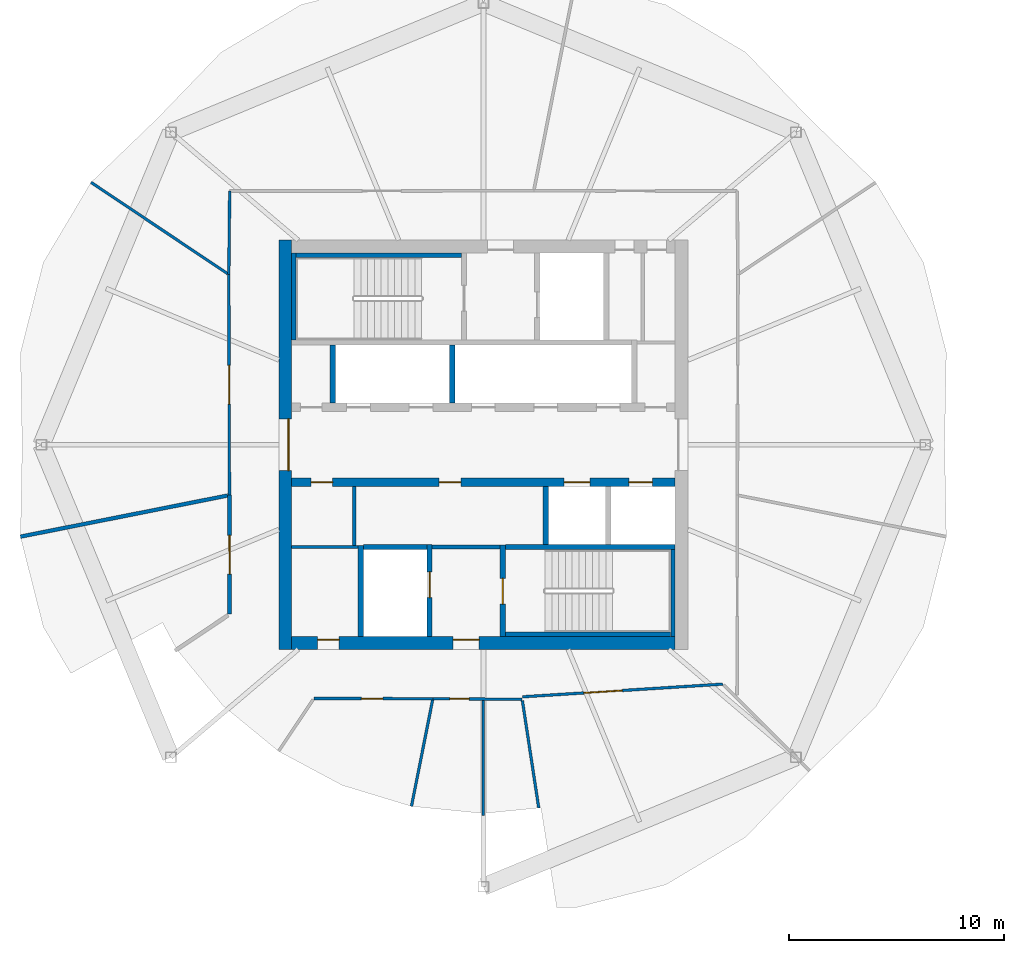
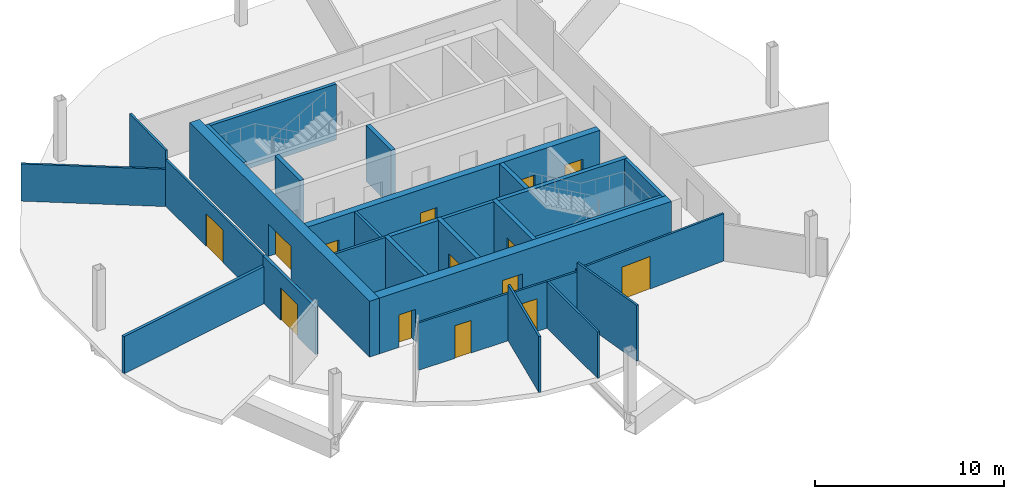
# One storey, part 4 of 9: 29 walls, 14 doors, 14 openings.
"""IFC4 building model written with IfcOpenShell, lengths in metres."""

from ifc_helpers import new_model, si_unit, direction, frame, frame_2d, origin, place, context, subcontext, project, spatial, rectangle, extrude, material, layer, layer_set, type_object, element, fill, save


model = new_model("IFC4")

# Units and contexts
model_context = context("Model", 3, precision=1e-05, world=origin(), true_north=direction((0.0, 1.0)))
body_context = subcontext(model_context, "Body", "Model", "MODEL_VIEW")
ifc_project = project(units=[si_unit("LENGTHUNIT", "METRE"), si_unit("AREAUNIT", "SQUARE_METRE"), si_unit("VOLUMEUNIT", "CUBIC_METRE"), si_unit("PLANEANGLEUNIT", "RADIAN"), si_unit("MASSUNIT", "GRAM", prefix="KILO")], contexts=[model_context])

# Site, building, storey
site_placement = place(None, origin())
site = spatial("IfcSite", under=ifc_project, at=site_placement, CompositionType="ELEMENT")
building_placement = place(site_placement, origin())
building = spatial("IfcBuilding", under=site, at=building_placement, Name="Ogive Gate Towers", CompositionType="ELEMENT")
storey_placement = place(building_placement, frame((0.0, 0.0, 192.89990234375)))
storey = spatial("IfcBuildingStorey", under=building, at=storey_placement, Name="L46", CompositionType="ELEMENT", Elevation=192.89990234375)

# Wall
ifc_material_1 = material(Name="Gypsum board acoustic partition")
ifc_layer_1 = layer(ifc_material_1, 0.175048828125)
ifc_layer_set_1 = layer_set([ifc_layer_1], Name="Acoustic partition 175")
wall_type_1 = type_object("IfcWallType", Name="Acoustic partition 175", PredefinedType="PARTITIONING", material=ifc_layer_set_1)
wall_1_placement = place(storey_placement, frame((-57.5, -4.268310546875, 0.0), z_axis=(0.0, 0.0, 1.0), x_axis=(0.980861035238, 0.194709089544, 0.0)))
element("IfcWall", 1, at=wall_1_placement, inside=storey, type_object=wall_type_1, Name="Partition T1-L46-004", PredefinedType="PARTITIONING", context=body_context, shape_type="SweptSolid", body=[
    extrude(rectangle(XDim=9.8115234375, YDim=0.175048828125, at=frame_2d((4.90576171875, 0.0))), origin(), (0.0, 0.0, 1.0), 2.400146484375),
])

# Wall, opening, door
wall_2_placement = place(storey_placement, frame((-47.7841796875, -7.869873046875, 0.0), z_axis=(0.0, 0.0, 1.0), x_axis=(-0.001103898299, 0.999999390704, 0.0)))
wall_2 = element("IfcWall", 2, at=wall_2_placement, inside=storey, type_object=wall_type_1, Name="Partition T1-L46-014", PredefinedType="PARTITIONING", context=body_context, shape_type="SweptSolid", body=[
    extrude(rectangle(XDim=5.529052734375, YDim=0.175048828125, at=frame_2d((2.7646484375, 0.0))), origin(), (0.0, 0.0, 1.0), 3.050048828125),
])
opening_1_placement = place(wall_2_placement, frame((1.864990234375, 0.0, 0.0)))
opening_1 = element("IfcOpeningElement", 3, at=opening_1_placement, cuts=wall_2, Name="Opening T1-L46-D03", PredefinedType="OPENING", context=body_context, shape_type="SweptSolid", body=[
    extrude(rectangle(XDim=1.800048828125, YDim=2.10009765625, at=frame_2d((0.89990234375, 1.050048828125))), frame((0.0, 0.09765625, 0.0), z_axis=(0.0, -1.0, 0.0), x_axis=(1.0, 0.0, 0.0)), (0.0, 0.0, 1.0), 0.195068359375),
])
ifc_material_2 = material(Name="Timber door", Category="wood")
door_type_1 = type_object("IfcDoorType", Name="Door pair 1800", OperationType="NOTDEFINED", PredefinedType="DOOR", material=ifc_material_2)
door_1_placement = place(opening_1_placement, origin())
door_1 = element("IfcDoor", 4, at=door_1_placement, inside=storey, type_object=door_type_1, Name="Door T1-L46-D03", OperationType="DOUBLE_DOOR_DOUBLE_SWING", OverallHeight=2.10009765625, OverallWidth=1.800048828125, PredefinedType="DOOR", context=body_context, shape_type="SweptSolid", body=[
    extrude(rectangle(XDim=1.800048828125, YDim=2.10009765625, at=frame_2d((0.89990234375, 1.050048828125))), frame((0.0, 0.02490234375, 0.0), z_axis=(0.0, -1.0, 0.0), x_axis=(1.0, 0.0, 0.0)), (0.0, 0.0, 1.0), 0.050048828125),
])
fill(opening_1, door_1)

# Wall
ifc_material_3 = material(Name="Masonry blockwork", Category="masonry")
ifc_layer_2 = layer(ifc_material_3, 0.199951171875)
ifc_layer_set_2 = layer_set([ifc_layer_2], Name="Blockwork wall 200 mm")
wall_type_2 = type_object("IfcWallType", Name="Blockwork wall 200 mm", PredefinedType="PARTITIONING", material=ifc_layer_set_2)
wall_3_placement = place(storey_placement, frame((-38.375, -4.75, 0.0), z_axis=(0.0, 0.0, 1.0), x_axis=(1.0, 0.0, 0.0)))
element("IfcWall", 5, at=wall_3_placement, inside=storey, type_object=wall_type_2, Name="T1 L46 Blockwork wall 200 mm", PredefinedType="PARTITIONING", context=body_context, shape_type="SweptSolid", body=[
    extrude(rectangle(XDim=3.14990234375, YDim=0.199951171875, at=frame_2d((1.574951171875, 0.0))), origin(), (0.0, 0.0, 1.0), 3.60009765625),
])

# Wall, openings, doors
ifc_material_4 = material(Name="Concrete C60/75", Category="concrete")
ifc_layer_3 = layer(ifc_material_4, 0.60009765625)
ifc_layer_set_3 = layer_set([ifc_layer_3], Name="Core wall 600 mm")
wall_type_3 = type_object("IfcWallType", Name="Core wall 600 mm", PredefinedType="SHEAR", material=ifc_layer_set_3)
wall_4_placement = place(storey_placement, frame((-44.89990234375, -9.199951171875, 0.0), z_axis=(0.0, 0.0, 1.0), x_axis=(1.0, 0.0, 0.0)))
wall_4 = element("IfcWall", 6, at=wall_4_placement, inside=storey, type_object=wall_type_3, Name="T1 L46 Core wall 600 mm", PredefinedType="SHEAR", context=body_context, shape_type="SweptSolid", body=[
    extrude(rectangle(XDim=17.7998046875, YDim=0.60009765625, at=frame_2d((8.89990234375, 0.0))), origin(), (0.0, 0.0, 1.0), 3.60009765625),
])
opening_2_placement = place(wall_4_placement, frame((7.5, 0.0, 0.0)))
opening_2 = element("IfcOpeningElement", 7, at=opening_2_placement, cuts=wall_4, Name="Opening KD-T1-L46-19", PredefinedType="OPENING", context=body_context, shape_type="SweptSolid", body=[
    extrude(rectangle(XDim=1.199951171875, YDim=2.10009765625, at=frame_2d((0.60009765625, 1.050048828125))), frame((0.0, 0.31005859375, 0.0), z_axis=(0.0, -1.0, 0.0), x_axis=(1.0, 0.0, 0.0)), (0.0, 0.0, 1.0), 0.6201171875),
])
opening_3_placement = place(wall_4_placement, frame((1.199951171875, 0.0, 0.0)))
opening_3 = element("IfcOpeningElement", 8, at=opening_3_placement, cuts=wall_4, Name="Opening KD-T1-L46-22", PredefinedType="OPENING", context=body_context, shape_type="SweptSolid", body=[
    extrude(rectangle(XDim=1.0, YDim=2.10009765625, at=frame_2d((0.5, 1.050048828125))), frame((0.0, 0.31005859375, 0.0), z_axis=(0.0, -1.0, 0.0), x_axis=(1.0, 0.0, 0.0)), (0.0, 0.0, 1.0), 0.6201171875),
])
door_type_2 = type_object("IfcDoorType", Name="Accessible WC door 1000 x 2100", OperationType="NOTDEFINED", PredefinedType="DOOR", material=ifc_material_2)
door_2_placement = place(opening_3_placement, origin())
door_2 = element("IfcDoor", 9, at=door_2_placement, inside=storey, type_object=door_type_2, Name="T1 L46 Core door", OperationType="SINGLE_SWING_LEFT", OverallHeight=2.10009765625, OverallWidth=1.0, PredefinedType="DOOR", context=body_context, shape_type="SweptSolid", body=[
    extrude(rectangle(XDim=1.0, YDim=2.10009765625, at=frame_2d((0.5, 1.050048828125))), frame((0.0, 0.1748046875, 0.0), z_axis=(0.0, -1.0, 0.0), x_axis=(1.0, 0.0, 0.0)), (0.0, 0.0, 1.0), 0.050048828125),
])
fill(opening_3, door_2)
ifc_material_5 = material(Name="Steel fire door", Category="steel")
door_type_3 = type_object("IfcDoorType", Name="Core door FD60S 1200 x 2100", OperationType="NOTDEFINED", PredefinedType="DOOR", material=ifc_material_5)
door_3_placement = place(opening_2_placement, origin())
door_3 = element("IfcDoor", 10, at=door_3_placement, inside=storey, type_object=door_type_3, Name="T1 L46 Fire-fighting lobby door", OperationType="SINGLE_SWING_RIGHT", OverallHeight=2.10009765625, OverallWidth=1.199951171875, PredefinedType="DOOR", context=body_context, shape_type="SweptSolid", body=[
    extrude(rectangle(XDim=1.199951171875, YDim=2.10009765625, at=frame_2d((0.60009765625, 1.050048828125))), frame((0.0, 0.1748046875, 0.0), z_axis=(0.0, -1.0, 0.0), x_axis=(1.0, 0.0, 0.0)), (0.0, 0.0, 1.0), 0.050048828125),
])
fill(opening_2, door_3)

# Wall, opening, door
wall_5_placement = place(storey_placement, frame((-45.199951171875, -9.5, 0.0), z_axis=(0.0, 0.0, 1.0), x_axis=(0.0, 1.0, 0.0)))
wall_5 = element("IfcWall", 11, at=wall_5_placement, inside=storey, type_object=wall_type_3, Name="T1 L46 Core wall 600 mm", PredefinedType="SHEAR", context=body_context, shape_type="SweptSolid", body=[
    extrude(rectangle(XDim=19.0, YDim=0.60009765625, at=frame_2d((9.5, 0.0))), origin(), (0.0, 0.0, 1.0), 3.60009765625),
])
opening_4_placement = place(wall_5_placement, frame((8.300048828125, 0.0, 0.0)))
opening_4 = element("IfcOpeningElement", 12, at=opening_4_placement, cuts=wall_5, Name="Opening KD-T1-L46-01", PredefinedType="OPENING", context=body_context, shape_type="SweptSolid", body=[
    extrude(rectangle(XDim=2.39990234375, YDim=2.10009765625, at=frame_2d((1.199951171875, 1.050048828125))), frame((0.0, 0.31005859375, 0.0), z_axis=(0.0, -1.0, 0.0), x_axis=(1.0, 0.0, 0.0)), (0.0, 0.0, 1.0), 0.6201171875),
])
door_type_4 = type_object("IfcDoorType", Name="Core double door FD60S 2400 x 2100", OperationType="DOUBLE_DOOR_SINGLE_SWING", PredefinedType="DOOR", material=ifc_material_5)
door_4_placement = place(opening_4_placement, origin())
door_4 = element("IfcDoor", 13, at=door_4_placement, inside=storey, type_object=door_type_4, Name="T1 L46 Core door double", OperationType="DOUBLE_DOOR_SINGLE_SWING", OverallHeight=2.10009765625, OverallWidth=2.39990234375, PredefinedType="DOOR", context=body_context, shape_type="SweptSolid", body=[
    extrude(rectangle(XDim=2.39990234375, YDim=2.10009765625, at=frame_2d((1.199951171875, 1.050048828125))), frame((0.0, -0.125, 0.0), z_axis=(0.0, -1.0, 0.0), x_axis=(1.0, 0.0, 0.0)), (0.0, 0.0, 1.0), 0.050048828125),
])
fill(opening_4, door_4)

# Walls
ifc_material_6 = material(Name="Gypsum board partition")
ifc_layer_4 = layer(ifc_material_6, 0.125)
ifc_layer_set_4 = layer_set([ifc_layer_4], Name="Partition 125")
wall_type_4 = type_object("IfcWallType", Name="Partition 125", PredefinedType="PARTITIONING", material=ifc_layer_set_4)
wall_6_placement = place(storey_placement, frame((-54.220947265625, 12.184814453125, 0.0), z_axis=(0.0, 0.0, 1.0), x_axis=(0.831252644517, -0.555894811079, 0.0)))
element("IfcWall", 14, at=wall_6_placement, inside=storey, type_object=wall_type_4, Name="Partition T1-L46-003", PredefinedType="PARTITIONING", context=body_context, shape_type="SweptSolid", body=[
    extrude(rectangle(XDim=7.636474609375, YDim=0.125, at=frame_2d((3.818359375, 0.0))), origin(), (0.0, 0.0, 1.0), 2.400146484375),
])
wall_7_placement = place(storey_placement, frame((-39.33984375, -16.79052734375, 0.0), z_axis=(0.0, 0.0, 1.0), x_axis=(0.19510925682, 0.980781513847, 0.0)))
element("IfcWall", 15, at=wall_7_placement, inside=storey, type_object=wall_type_4, Name="Partition T1-L46-007", PredefinedType="PARTITIONING", context=body_context, shape_type="SweptSolid", body=[
    extrude(rectangle(XDim=5.036376953125, YDim=0.125, at=frame_2d((2.51806640625, 0.0))), origin(), (0.0, 0.0, 1.0), 3.60009765625),
])
wall_8_placement = place(storey_placement, frame((-36.0, -17.220458984375, 0.0), z_axis=(0.0, 0.0, 1.0), x_axis=(-0.000182949137, 0.999999983265, 0.0)))
element("IfcWall", 16, at=wall_8_placement, inside=storey, type_object=wall_type_4, Name="Partition T1-L46-008", PredefinedType="PARTITIONING", context=body_context, shape_type="SweptSolid", body=[
    extrude(rectangle(XDim=5.337890625, YDim=0.125, at=frame_2d((2.6689453125, 0.0))), origin(), (0.0, 0.0, 1.0), 3.0),
])
wall_9_placement = place(storey_placement, frame((-33.42919921875, -16.865966796875, 0.0), z_axis=(0.0, 0.0, 1.0), x_axis=(-0.150705654352, 0.988578679593, 0.0)))
element("IfcWall", 17, at=wall_9_placement, inside=storey, type_object=wall_type_4, Name="Partition T1-L46-009", PredefinedType="PARTITIONING", context=body_context, shape_type="SweptSolid", body=[
    extrude(rectangle(XDim=5.03662109375, YDim=0.125, at=frame_2d((2.518310546875, 0.0))), origin(), (0.0, 0.0, 1.0), 3.60009765625),
])

# Wall, opening, door
wall_10_placement = place(storey_placement, frame((-34.197509765625, -11.8251953125, 0.0), z_axis=(0.0, 0.0, 1.0), x_axis=(-0.999963071033, 0.008593984481, 0.0)))
wall_10 = element("IfcWall", 18, at=wall_10_placement, inside=storey, type_object=wall_type_4, Name="Partition T1-L46-012", PredefinedType="PARTITIONING", context=body_context, shape_type="SweptSolid", body=[
    extrude(rectangle(XDim=4.147705078125, YDim=0.125, at=frame_2d((2.07373046875, 0.0))), origin(), (0.0, 0.0, 1.0), 3.0),
])
opening_5_placement = place(wall_10_placement, frame((2.4619140625, 0.0, 0.0)))
opening_5 = element("IfcOpeningElement", 19, at=opening_5_placement, cuts=wall_10, Name="Opening T1-L46-D01", PredefinedType="OPENING", context=body_context, shape_type="SweptSolid", body=[
    extrude(rectangle(XDim=0.89990234375, YDim=2.10009765625, at=frame_2d((0.449951171875, 1.050048828125))), frame((0.0, 0.072509765625, 0.0), z_axis=(0.0, -1.0, 0.0), x_axis=(1.0, 0.0, 0.0)), (0.0, 0.0, 1.0), 0.14501953125),
])
door_type_5 = type_object("IfcDoorType", Name="Door 900", OperationType="NOTDEFINED", PredefinedType="DOOR", material=ifc_material_2)
door_5_placement = place(opening_5_placement, origin())
door_5 = element("IfcDoor", 20, at=door_5_placement, inside=storey, type_object=door_type_5, Name="Door T1-L46-D01", OperationType="SINGLE_SWING_RIGHT", OverallHeight=2.10009765625, OverallWidth=0.89990234375, PredefinedType="DOOR", context=body_context, shape_type="SweptSolid", body=[
    extrude(rectangle(XDim=0.89990234375, YDim=2.10009765625, at=frame_2d((0.449951171875, 1.050048828125))), frame((0.0, 0.02490234375, 0.0), z_axis=(0.0, -1.0, 0.0), x_axis=(1.0, 0.0, 0.0)), (0.0, 0.0, 1.0), 0.050048828125),
])
fill(opening_5, door_5)

wall_11_placement = place(storey_placement, frame((-38.344970703125, -11.78955078125, 0.0), z_axis=(0.0, 0.0, 1.0), x_axis=(-0.999999122227, 0.001324970129, 0.0)))
wall_11 = element("IfcWall", 21, at=wall_11_placement, inside=storey, type_object=wall_type_4, Name="Partition T1-L46-013", PredefinedType="PARTITIONING", context=body_context, shape_type="SweptSolid", body=[
    extrude(rectangle(XDim=5.52783203125, YDim=0.125, at=frame_2d((2.763916015625, 0.0))), origin(), (0.0, 0.0, 1.0), 3.050048828125),
])
opening_6_placement = place(wall_11_placement, frame((2.321044921875, 0.0, 0.0)))
opening_6 = element("IfcOpeningElement", 22, at=opening_6_placement, cuts=wall_11, Name="Opening T1-L46-D02", PredefinedType="OPENING", context=body_context, shape_type="SweptSolid", body=[
    extrude(rectangle(XDim=1.0, YDim=2.10009765625, at=frame_2d((0.5, 1.050048828125))), frame((0.0, 0.072509765625, 0.0), z_axis=(0.0, -1.0, 0.0), x_axis=(1.0, 0.0, 0.0)), (0.0, 0.0, 1.0), 0.14501953125),
])
door_type_6 = type_object("IfcDoorType", Name="Door 1000", OperationType="NOTDEFINED", PredefinedType="DOOR", material=ifc_material_2)
door_6_placement = place(opening_6_placement, origin())
door_6 = element("IfcDoor", 23, at=door_6_placement, inside=storey, type_object=door_type_6, Name="Door T1-L46-D02", OperationType="SINGLE_SWING_LEFT", OverallHeight=2.10009765625, OverallWidth=1.0, PredefinedType="DOOR", context=body_context, shape_type="SweptSolid", body=[
    extrude(rectangle(XDim=1.0, YDim=2.10009765625, at=frame_2d((0.5, 1.050048828125))), frame((0.0, 0.02490234375, 0.0), z_axis=(0.0, -1.0, 0.0), x_axis=(1.0, 0.0, 0.0)), (0.0, 0.0, 1.0), 0.050048828125),
])
fill(opening_6, door_6)

wall_12_placement = place(storey_placement, frame((-47.790283203125, -2.3408203125, 0.0), z_axis=(0.0, 0.0, 1.0), x_axis=(-0.003002417006, 0.999995492736, 0.0)))
wall_12 = element("IfcWall", 24, at=wall_12_placement, inside=storey, type_object=wall_type_4, Name="Partition T1-L46-015", PredefinedType="PARTITIONING", context=body_context, shape_type="SweptSolid", body=[
    extrude(rectangle(XDim=10.24560546875, YDim=0.125, at=frame_2d((5.122802734375, 0.0))), origin(), (0.0, 0.0, 1.0), 3.0),
])
opening_7_placement = place(wall_12_placement, frame((4.222900390625, 0.0, 0.0)))
opening_7 = element("IfcOpeningElement", 25, at=opening_7_placement, cuts=wall_12, Name="Opening T1-L46-D04", PredefinedType="OPENING", context=body_context, shape_type="SweptSolid", body=[
    extrude(rectangle(XDim=1.800048828125, YDim=2.10009765625, at=frame_2d((0.89990234375, 1.050048828125))), frame((0.0, 0.072509765625, 0.0), z_axis=(0.0, -1.0, 0.0), x_axis=(1.0, 0.0, 0.0)), (0.0, 0.0, 1.0), 0.14501953125),
])
door_7_placement = place(opening_7_placement, origin())
door_7 = element("IfcDoor", 26, at=door_7_placement, inside=storey, type_object=door_type_1, Name="Door T1-L46-D04", OperationType="DOUBLE_DOOR_DOUBLE_SWING", OverallHeight=2.10009765625, OverallWidth=1.800048828125, PredefinedType="DOOR", context=body_context, shape_type="SweptSolid", body=[
    extrude(rectangle(XDim=1.800048828125, YDim=2.10009765625, at=frame_2d((0.89990234375, 1.050048828125))), frame((0.0, 0.02490234375, 0.0), z_axis=(0.0, -1.0, 0.0), x_axis=(1.0, 0.0, 0.0)), (0.0, 0.0, 1.0), 0.050048828125),
])
fill(opening_7, door_7)

# Wall
wall_13_placement = place(storey_placement, frame((-47.821044921875, 7.90478515625, 0.0), z_axis=(0.0, 0.0, 1.0), x_axis=(0.010583417817, 0.999943994065, 0.0)))
element("IfcWall", 27, at=wall_13_placement, inside=storey, type_object=wall_type_4, Name="Partition T1-L46-017", PredefinedType="PARTITIONING", context=body_context, shape_type="SweptSolid", body=[
    extrude(rectangle(XDim=3.87548828125, YDim=0.125, at=frame_2d((1.937744140625, 0.0))), origin(), (0.0, 0.0, 1.0), 3.60009765625),
])

# Wall, opening, door
wall_14_placement = place(storey_placement, frame((-24.88427734375, -11.11572265625, 0.0), z_axis=(0.0, 0.0, 1.0), x_axis=(-0.997999141804, -0.063227469961, 0.0)))
wall_14 = element("IfcWall", 28, at=wall_14_placement, inside=storey, type_object=wall_type_4, Name="Partition T1-L46-022", PredefinedType="PARTITIONING", context=body_context, shape_type="SweptSolid", body=[
    extrude(rectangle(XDim=9.324951171875, YDim=0.125, at=frame_2d((4.66259765625, 0.0))), origin(), (0.0, 0.0, 1.0), 3.050048828125),
])
opening_8_placement = place(wall_14_placement, frame((4.6689453125, 0.0, 0.0)))
opening_8 = element("IfcOpeningElement", 29, at=opening_8_placement, cuts=wall_14, Name="Opening T1-L46-D09", PredefinedType="OPENING", context=body_context, shape_type="SweptSolid", body=[
    extrude(rectangle(XDim=1.800048828125, YDim=2.10009765625, at=frame_2d((0.89990234375, 1.050048828125))), frame((0.0, 0.072509765625, 0.0), z_axis=(0.0, -1.0, 0.0), x_axis=(1.0, 0.0, 0.0)), (0.0, 0.0, 1.0), 0.14501953125),
])
door_8_placement = place(opening_8_placement, origin())
door_8 = element("IfcDoor", 30, at=door_8_placement, inside=storey, type_object=door_type_1, Name="Door T1-L46-D09", OperationType="DOUBLE_DOOR_DOUBLE_SWING", OverallHeight=2.10009765625, OverallWidth=1.800048828125, PredefinedType="DOOR", context=body_context, shape_type="SweptSolid", body=[
    extrude(rectangle(XDim=1.800048828125, YDim=2.10009765625, at=frame_2d((0.89990234375, 1.050048828125))), frame((0.0, 0.02490234375, 0.0), z_axis=(0.0, -1.0, 0.0), x_axis=(1.0, 0.0, 0.0)), (0.0, 0.0, 1.0), 0.050048828125),
])
fill(opening_8, door_8)

# Walls
ifc_layer_5 = layer(ifc_material_6, 0.14990234375)
ifc_layer_set_5 = layer_set([ifc_layer_5], Name="Room partition 150 mm")
wall_type_5 = type_object("IfcWallType", Name="Room partition 150 mm", PredefinedType="PARTITIONING", material=ifc_layer_set_5)
wall_15_placement = place(storey_placement, frame((-44.89990234375, -4.75, 0.0), z_axis=(0.0, 0.0, 1.0), x_axis=(1.0, 0.0, 0.0)))
element("IfcWall", 31, at=wall_15_placement, inside=storey, type_object=wall_type_5, Name="T1 L46 Room partition 150 mm", PredefinedType="PARTITIONING", context=body_context, shape_type="SweptSolid", body=[
    extrude(rectangle(XDim=3.074951171875, YDim=0.14990234375, at=frame_2d((1.53759765625, 0.0))), origin(), (0.0, 0.0, 1.0), 3.60009765625),
])
wall_16_placement = place(storey_placement, frame((-42.0, -4.675048828125, 0.0), z_axis=(0.0, 0.0, 1.0), x_axis=(0.0, 1.0, 0.0)))
element("IfcWall", 32, at=wall_16_placement, inside=storey, type_object=wall_type_5, Name="T1 L46 Room partition 150 mm", PredefinedType="PARTITIONING", context=body_context, shape_type="SweptSolid", body=[
    extrude(rectangle(XDim=2.72509765625, YDim=0.14990234375, at=frame_2d((1.362548828125, 0.0))), origin(), (0.0, 0.0, 1.0), 3.60009765625),
])
ifc_layer_6 = layer(ifc_material_4, 0.25)
ifc_layer_set_6 = layer_set([ifc_layer_6], Name="Shaft wall 250 mm")
wall_type_6 = type_object("IfcWallType", Name="Shaft wall 250 mm", PredefinedType="SHEAR", material=ifc_layer_set_6)
wall_17_placement = place(storey_placement, frame((-41.574951171875, -4.75, 0.0), z_axis=(0.0, 0.0, 1.0), x_axis=(1.0, 0.0, 0.0)))
element("IfcWall", 33, at=wall_17_placement, inside=storey, type_object=wall_type_6, Name="T1 L46 Shaft wall 250 mm", PredefinedType="SHEAR", context=body_context, shape_type="SweptSolid", body=[
    extrude(rectangle(XDim=2.949951171875, YDim=0.25, at=frame_2d((1.47509765625, 0.0))), origin(), (0.0, 0.0, 1.0), 3.60009765625),
])
wall_18_placement = place(storey_placement, frame((-34.97509765625, -4.75, 0.0), z_axis=(0.0, 0.0, 1.0), x_axis=(1.0, 0.0, 0.0)))
element("IfcWall", 34, at=wall_18_placement, inside=storey, type_object=wall_type_6, Name="T1 L46 Shaft wall 250 mm", PredefinedType="SHEAR", context=body_context, shape_type="SweptSolid", body=[
    extrude(rectangle(XDim=7.875, YDim=0.25, at=frame_2d((3.9375, 0.0))), origin(), (0.0, 0.0, 1.0), 3.60009765625),
])
wall_19_placement = place(storey_placement, frame((-43.0, 1.949951171875, 0.0), z_axis=(0.0, 0.0, 1.0), x_axis=(0.0, 1.0, 0.0)))
element("IfcWall", 35, at=wall_19_placement, inside=storey, type_object=wall_type_6, Name="T1 L46 Shaft wall 250 mm", PredefinedType="SHEAR", context=body_context, shape_type="SweptSolid", body=[
    extrude(rectangle(XDim=2.675048828125, YDim=0.25, at=frame_2d((1.33740234375, 0.0))), origin(), (0.0, 0.0, 1.0), 3.60009765625),
])
wall_20_placement = place(storey_placement, frame((-41.699951171875, -8.89990234375, 0.0), z_axis=(0.0, 0.0, 1.0), x_axis=(0.0, 1.0, 0.0)))
element("IfcWall", 36, at=wall_20_placement, inside=storey, type_object=wall_type_6, Name="T1 L46 Shaft wall 250 mm", PredefinedType="SHEAR", context=body_context, shape_type="SweptSolid", body=[
    extrude(rectangle(XDim=4.224853515625, YDim=0.25, at=frame_2d((2.1123046875, 0.0))), origin(), (0.0, 0.0, 1.0), 3.60009765625),
])

# Wall, opening, door
wall_21_placement = place(storey_placement, frame((-38.5, -8.89990234375, 0.0), z_axis=(0.0, 0.0, 1.0), x_axis=(0.0, 1.0, 0.0)))
wall_21 = element("IfcWall", 37, at=wall_21_placement, inside=storey, type_object=wall_type_6, Name="T1 L46 Shaft wall 250 mm", PredefinedType="SHEAR", context=body_context, shape_type="SweptSolid", body=[
    extrude(rectangle(XDim=4.27490234375, YDim=0.25, at=frame_2d((2.137451171875, 0.0))), origin(), (0.0, 0.0, 1.0), 3.60009765625),
])
opening_9_placement = place(wall_21_placement, frame((1.800048828125, 0.0, 0.0)))
opening_9 = element("IfcOpeningElement", 38, at=opening_9_placement, cuts=wall_21, Name="Opening LD-T1-L46-13", PredefinedType="OPENING", context=body_context, shape_type="SweptSolid", body=[
    extrude(rectangle(XDim=1.199951171875, YDim=2.10009765625, at=frame_2d((0.60009765625, 1.050048828125))), frame((0.0, 0.135009765625, 0.0), z_axis=(0.0, -1.0, 0.0), x_axis=(1.0, 0.0, 0.0)), (0.0, 0.0, 1.0), 0.27001953125),
])
ifc_material_7 = material(Name="Stainless steel landing door", Category="steel")
door_type_7 = type_object("IfcDoorType", Name="Landing door 1200 x 2100", OperationType="SLIDING_TO_LEFT", PredefinedType="DOOR", material=ifc_material_7)
door_9_placement = place(opening_9_placement, origin())
door_9 = element("IfcDoor", 39, at=door_9_placement, inside=storey, type_object=door_type_7, Name="T1 L46 Lift landing door FF2", OperationType="SLIDING_TO_LEFT", OverallHeight=2.10009765625, OverallWidth=1.199951171875, PredefinedType="DOOR", context=body_context, shape_type="SweptSolid", body=[
    extrude(rectangle(XDim=1.199951171875, YDim=2.10009765625, at=frame_2d((0.60009765625, 1.050048828125))), frame((0.0, 0.02490234375, 0.0), z_axis=(0.0, -1.0, 0.0), x_axis=(1.0, 0.0, 0.0)), (0.0, 0.0, 1.0), 0.050048828125),
])
fill(opening_9, door_9)

# Wall
wall_22_placement = place(storey_placement, frame((-37.449951171875, 1.949951171875, 0.0), z_axis=(0.0, 0.0, 1.0), x_axis=(0.0, 1.0, 0.0)))
element("IfcWall", 40, at=wall_22_placement, inside=storey, type_object=wall_type_6, Name="T1 L46 Shaft wall 250 mm", PredefinedType="SHEAR", context=body_context, shape_type="SweptSolid", body=[
    extrude(rectangle(XDim=2.675048828125, YDim=0.25, at=frame_2d((1.33740234375, 0.0))), origin(), (0.0, 0.0, 1.0), 3.60009765625),
])

# Wall, opening, door
wall_23_placement = place(storey_placement, frame((-35.10009765625, -8.89990234375, 0.0), z_axis=(0.0, 0.0, 1.0), x_axis=(0.0, 1.0, 0.0)))
wall_23 = element("IfcWall", 41, at=wall_23_placement, inside=storey, type_object=wall_type_6, Name="T1 L46 Shaft wall 250 mm", PredefinedType="SHEAR", context=body_context, shape_type="SweptSolid", body=[
    extrude(rectangle(XDim=4.25, YDim=0.25, at=frame_2d((2.125, 0.0))), origin(), (0.0, 0.0, 1.0), 3.60009765625),
])
opening_10_placement = place(wall_23_placement, frame((1.5, 0.0, 0.0)))
opening_10 = element("IfcOpeningElement", 42, at=opening_10_placement, cuts=wall_23, Name="Opening KD-T1-L46-17", PredefinedType="OPENING", context=body_context, shape_type="SweptSolid", body=[
    extrude(rectangle(XDim=1.199951171875, YDim=2.10009765625, at=frame_2d((0.60009765625, 1.050048828125))), frame((0.0, 0.135009765625, 0.0), z_axis=(0.0, -1.0, 0.0), x_axis=(1.0, 0.0, 0.0)), (0.0, 0.0, 1.0), 0.27001953125),
])
door_10_placement = place(opening_10_placement, origin())
door_10 = element("IfcDoor", 43, at=door_10_placement, inside=storey, type_object=door_type_3, Name="T1 L46 Stair door", OperationType="SINGLE_SWING_RIGHT", OverallHeight=2.10009765625, OverallWidth=1.199951171875, PredefinedType="DOOR", context=body_context, shape_type="SweptSolid", body=[
    extrude(rectangle(XDim=1.199951171875, YDim=2.10009765625, at=frame_2d((0.60009765625, 1.050048828125))), frame((0.0, 0.02490234375, 0.0), z_axis=(0.0, -1.0, 0.0), x_axis=(1.0, 0.0, 0.0)), (0.0, 0.0, 1.0), 0.050048828125),
])
fill(opening_10, door_10)

# Wall
wall_24_placement = place(storey_placement, frame((-33.10009765625, -4.625, 0.0), z_axis=(0.0, 0.0, 1.0), x_axis=(0.0, 1.0, 0.0)))
element("IfcWall", 44, at=wall_24_placement, inside=storey, type_object=wall_type_6, Name="T1 L46 Shaft wall 250 mm", PredefinedType="SHEAR", context=body_context, shape_type="SweptSolid", body=[
    extrude(rectangle(XDim=2.675048828125, YDim=0.25, at=frame_2d((1.33740234375, 0.0))), origin(), (0.0, 0.0, 1.0), 3.60009765625),
])

# Wall, openings, doors
ifc_layer_7 = layer(ifc_material_4, 0.39990234375)
ifc_layer_set_7 = layer_set([ifc_layer_7], Name="Spine wall 400 mm")
wall_type_7 = type_object("IfcWallType", Name="Spine wall 400 mm", PredefinedType="SHEAR", material=ifc_layer_set_7)
wall_25_placement = place(storey_placement, frame((-44.89990234375, -1.75, 0.0), z_axis=(0.0, 0.0, 1.0), x_axis=(1.0, 0.0, 0.0)))
wall_25 = element("IfcWall", 45, at=wall_25_placement, inside=storey, type_object=wall_type_7, Name="T1 L46 Spine wall 400 mm", PredefinedType="SHEAR", context=body_context, shape_type="SweptSolid", body=[
    extrude(rectangle(XDim=17.7998046875, YDim=0.39990234375, at=frame_2d((8.89990234375, 0.0))), origin(), (0.0, 0.0, 1.0), 3.60009765625),
])
opening_11_placement = place(wall_25_placement, frame((12.64990234375, 0.0, 0.0)))
opening_11 = element("IfcOpeningElement", 46, at=opening_11_placement, cuts=wall_25, Name="Opening LD-T1-L46-10", PredefinedType="OPENING", context=body_context, shape_type="SweptSolid", body=[
    extrude(rectangle(XDim=1.199951171875, YDim=2.10009765625, at=frame_2d((0.60009765625, 1.050048828125))), frame((0.0, 0.2099609375, 0.0), z_axis=(0.0, -1.0, 0.0), x_axis=(1.0, 0.0, 0.0)), (0.0, 0.0, 1.0), 0.419921875),
])
opening_12_placement = place(wall_25_placement, frame((15.64990234375, 0.0, 0.0)))
opening_12 = element("IfcOpeningElement", 47, at=opening_12_placement, cuts=wall_25, Name="Opening LD-T1-L46-11", PredefinedType="OPENING", context=body_context, shape_type="SweptSolid", body=[
    extrude(rectangle(XDim=1.10009765625, YDim=2.10009765625, at=frame_2d((0.550048828125, 1.050048828125))), frame((0.0, 0.2099609375, 0.0), z_axis=(0.0, -1.0, 0.0), x_axis=(1.0, 0.0, 0.0)), (0.0, 0.0, 1.0), 0.419921875),
])
opening_13_placement = place(wall_25_placement, frame((0.89990234375, 0.0, 0.0)))
opening_13 = element("IfcOpeningElement", 48, at=opening_13_placement, cuts=wall_25, Name="Opening KD-T1-L46-14", PredefinedType="OPENING", context=body_context, shape_type="SweptSolid", body=[
    extrude(rectangle(XDim=1.0, YDim=2.10009765625, at=frame_2d((0.5, 1.050048828125))), frame((0.0, 0.2099609375, 0.0), z_axis=(0.0, -1.0, 0.0), x_axis=(1.0, 0.0, 0.0)), (0.0, 0.0, 1.0), 0.419921875),
])
opening_14_placement = place(wall_25_placement, frame((6.85009765625, 0.0, 0.0)))
opening_14 = element("IfcOpeningElement", 49, at=opening_14_placement, cuts=wall_25, Name="Opening KD-T1-L46-15", PredefinedType="OPENING", context=body_context, shape_type="SweptSolid", body=[
    extrude(rectangle(XDim=1.0, YDim=2.10009765625, at=frame_2d((0.5, 1.050048828125))), frame((0.0, 0.2099609375, 0.0), z_axis=(0.0, -1.0, 0.0), x_axis=(1.0, 0.0, 0.0)), (0.0, 0.0, 1.0), 0.419921875),
])
door_type_8 = type_object("IfcDoorType", Name="Core door FD60S 1000 x 2100", OperationType="NOTDEFINED", PredefinedType="DOOR", material=ifc_material_5)
door_11_placement = place(opening_13_placement, origin())
door_11 = element("IfcDoor", 50, at=door_11_placement, inside=storey, type_object=door_type_8, Name="T1 L46 Core door", OperationType="SINGLE_SWING_LEFT", OverallHeight=2.10009765625, OverallWidth=1.0, PredefinedType="DOOR", context=body_context, shape_type="SweptSolid", body=[
    extrude(rectangle(XDim=1.0, YDim=2.10009765625, at=frame_2d((0.5, 1.050048828125))), frame((0.0, 0.02490234375, 0.0), z_axis=(0.0, -1.0, 0.0), x_axis=(1.0, 0.0, 0.0)), (0.0, 0.0, 1.0), 0.050048828125),
])
fill(opening_13, door_11)
door_12_placement = place(opening_14_placement, origin())
door_12 = element("IfcDoor", 51, at=door_12_placement, inside=storey, type_object=door_type_8, Name="T1 L46 Core door", OperationType="SINGLE_SWING_RIGHT", OverallHeight=2.10009765625, OverallWidth=1.0, PredefinedType="DOOR", context=body_context, shape_type="SweptSolid", body=[
    extrude(rectangle(XDim=1.0, YDim=2.10009765625, at=frame_2d((0.5, 1.050048828125))), frame((0.0, 0.02490234375, 0.0), z_axis=(0.0, -1.0, 0.0), x_axis=(1.0, 0.0, 0.0)), (0.0, 0.0, 1.0), 0.050048828125),
])
fill(opening_14, door_12)
door_type_9 = type_object("IfcDoorType", Name="Landing door 1100 x 2100", OperationType="SLIDING_TO_LEFT", PredefinedType="DOOR", material=ifc_material_7)
door_13_placement = place(opening_12_placement, origin())
door_13 = element("IfcDoor", 52, at=door_13_placement, inside=storey, type_object=door_type_9, Name="T1 L46 Lift landing door B6", OperationType="SLIDING_TO_LEFT", OverallHeight=2.10009765625, OverallWidth=1.10009765625, PredefinedType="DOOR", context=body_context, shape_type="SweptSolid", body=[
    extrude(rectangle(XDim=1.10009765625, YDim=2.10009765625, at=frame_2d((0.550048828125, 1.050048828125))), frame((0.0, 0.02490234375, 0.0), z_axis=(0.0, -1.0, 0.0), x_axis=(1.0, 0.0, 0.0)), (0.0, 0.0, 1.0), 0.050048828125),
])
fill(opening_12, door_13)
door_14_placement = place(opening_11_placement, origin())
door_14 = element("IfcDoor", 53, at=door_14_placement, inside=storey, type_object=door_type_7, Name="T1 L46 Lift landing door SVC", OperationType="SLIDING_TO_LEFT", OverallHeight=2.10009765625, OverallWidth=1.199951171875, PredefinedType="DOOR", context=body_context, shape_type="SweptSolid", body=[
    extrude(rectangle(XDim=1.199951171875, YDim=2.10009765625, at=frame_2d((0.60009765625, 1.050048828125))), frame((0.0, 0.02490234375, 0.0), z_axis=(0.0, -1.0, 0.0), x_axis=(1.0, 0.0, 0.0)), (0.0, 0.0, 1.0), 0.050048828125),
])
fill(opening_11, door_14)

# Walls
ifc_layer_8 = layer(ifc_material_4, 0.199951171875)
ifc_layer_set_8 = layer_set([ifc_layer_8], Name="Stair wall 200 mm")
wall_type_8 = type_object("IfcWallType", Name="Stair wall 200 mm", PredefinedType="SHEAR", material=ifc_layer_set_8)
for number, where, z_axis, x_axis, name in (
    (54, (-34.97509765625, -8.800048828125, 0.0), (0.0, 0.0, 1.0), (1.0, 0.0, 0.0), "T1 L46 Stair wall 200 mm"),
    (55, (-44.699951171875, 8.800048828125, 0.0), (0.0, 0.0, 1.0), (1.0, 0.0, 0.0), "T1 L46 Stair wall 200 mm"),
):
    element("IfcWall", number, at=place(storey_placement, frame(where, z_axis=z_axis, x_axis=x_axis)), inside=storey, type_object=wall_type_8, Name=name, PredefinedType="SHEAR", context=body_context, shape_type="SweptSolid", body=[
        extrude(rectangle(XDim=7.675048828125, YDim=0.199951171875, at=frame_2d((3.83740234375, 0.0))), origin(), (0.0, 0.0, 1.0), 3.60009765625),
    ])
for number, where, z_axis, x_axis, name in (
    (56, (-44.800048828125, 4.875, 0.0), (0.0, 0.0, 1.0), (0.0, 1.0, 0.0), "T1 L46 Stair wall 200 mm"),
    (57, (-27.199951171875, -8.89990234375, 0.0), (0.0, 0.0, 1.0), (0.0, 1.0, 0.0), "T1 L46 Stair wall 200 mm"),
):
    element("IfcWall", number, at=place(storey_placement, frame(where, z_axis=z_axis, x_axis=x_axis)), inside=storey, type_object=wall_type_8, Name=name, PredefinedType="SHEAR", context=body_context, shape_type="SweptSolid", body=[
        extrude(rectangle(XDim=4.02490234375, YDim=0.199951171875, at=frame_2d((2.012451171875, 0.0))), origin(), (0.0, 0.0, 1.0), 3.60009765625),
    ])

save(model, "model.ifc")
